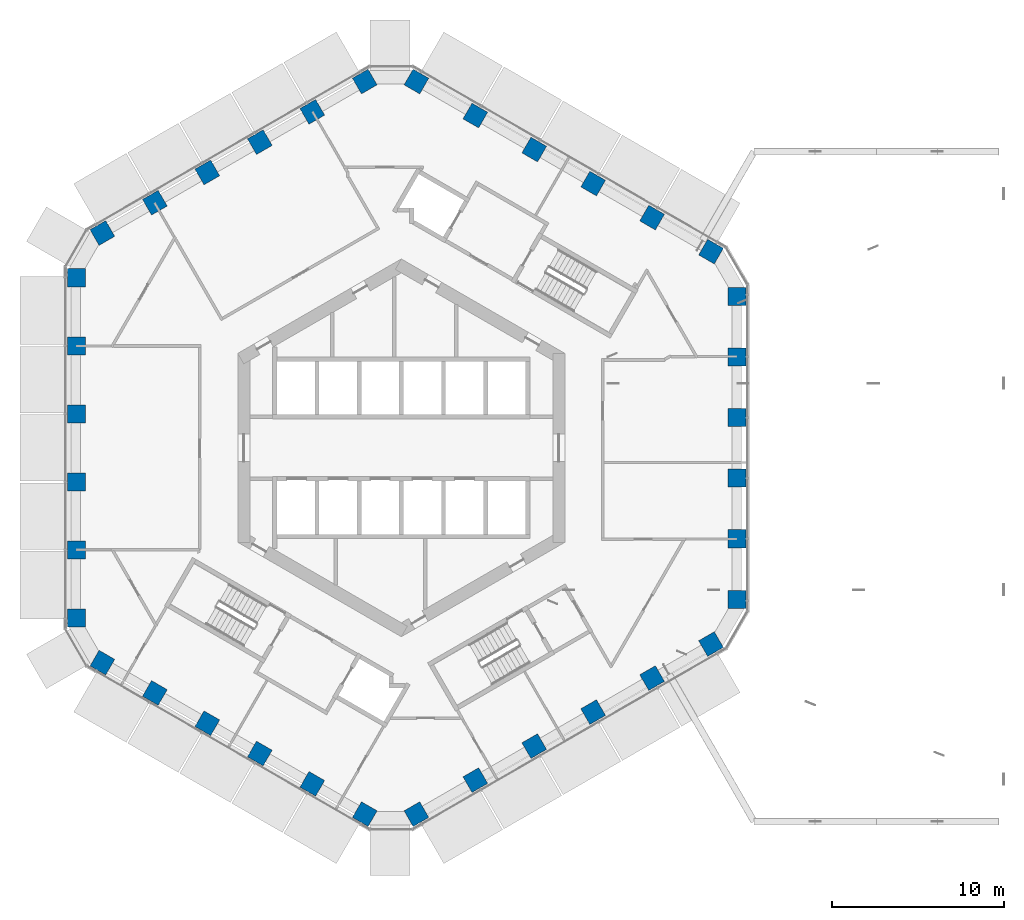
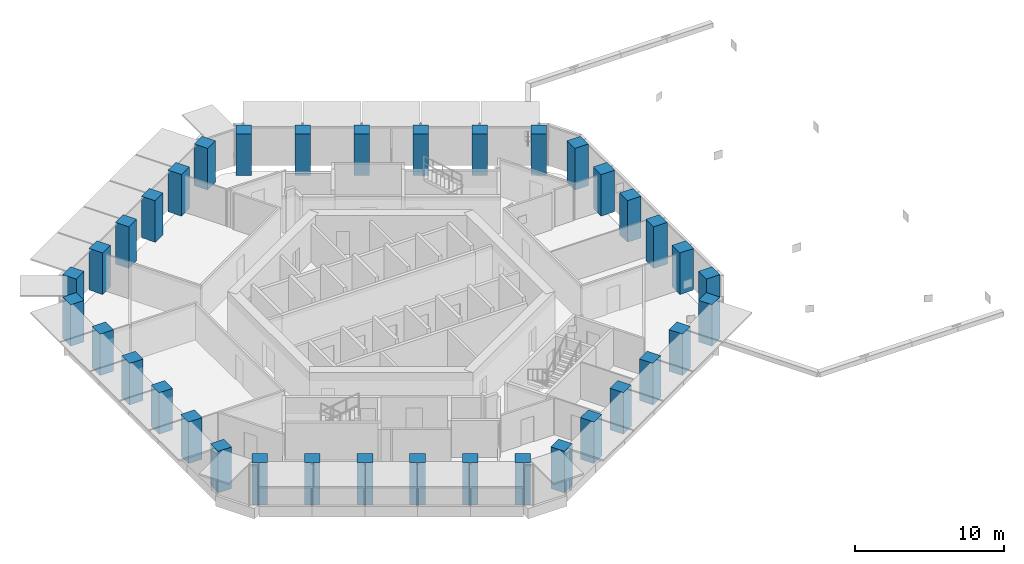
# One storey, part 1 of 21: 36 columns.
"""IFC4 building model written with IfcOpenShell, lengths in metres."""

from ifc_helpers import new_model, si_unit, direction, frame, origin, origin_2d, place, context, subcontext, project, spatial, rectangle, extrude, material, material_profile, profile_set, type_object, element, save


model = new_model("IFC4")

# Units and contexts
model_context = context("Model", 3, precision=1e-05, world=origin(), true_north=direction((0.0, 1.0)))
body_context = subcontext(model_context, "Body", "Model", "MODEL_VIEW")
ifc_project = project(units=[si_unit("LENGTHUNIT", "METRE"), si_unit("AREAUNIT", "SQUARE_METRE"), si_unit("VOLUMEUNIT", "CUBIC_METRE"), si_unit("PLANEANGLEUNIT", "RADIAN"), si_unit("MASSUNIT", "GRAM", prefix="KILO")], contexts=[model_context])

# Site, building, storey
site_placement = place(None, origin())
site = spatial("IfcSite", under=ifc_project, at=site_placement, CompositionType="ELEMENT")
building_placement = place(site_placement, origin())
building = spatial("IfcBuilding", under=site, at=building_placement, Name="Ayvan Gate Tower", CompositionType="ELEMENT")
storey_placement = place(building_placement, frame((0.0, 0.0, 117.10009765625)))
storey = spatial("IfcBuildingStorey", under=building, at=storey_placement, Name="L31", CompositionType="ELEMENT", Elevation=117.10009765625)

# Columns
ifc_material = material(Name="Concrete C60/75", Category="concrete")
ifc_material_profile = material_profile(ifc_material, rectangle(XDim=1.050048828125, YDim=1.050048828125, at=origin_2d()), Name="RC 1050x1050")
ifc_profile_set = profile_set([ifc_material_profile], Name="Concrete C60/75")
column_type = type_object("IfcColumnType", Name="Tube column RC 1050x1050 C60/75", PredefinedType="COLUMN", material=ifc_profile_set)
for number, where, z_axis, x_axis, name in (
    (1, (19.485595703125, -8.79833984375, 0.0), (0.0, 0.0, 1.0), (1.0, 0.0, 0.0), "C-T0-0-L31"),
    (2, (19.485595703125, -5.279052734375, 0.0), (0.0, 0.0, 1.0), (1.0, 0.0, 0.0), "C-T0-1-L31"),
    (3, (19.485595703125, -1.759765625, 0.0), (0.0, 0.0, 1.0), (1.0, 0.0, 0.0), "C-T0-2-L31"),
    (4, (19.485595703125, 1.759765625, 0.0), (0.0, 0.0, 1.0), (1.0, 0.0, 0.0), "C-T0-3-L31"),
    (5, (19.485595703125, 5.279052734375, 0.0), (0.0, 0.0, 1.0), (1.0, 0.0, 0.0), "C-T0-4-L31"),
    (6, (19.485595703125, 8.79833984375, 0.0), (0.0, 0.0, 1.0), (1.0, 0.0, 0.0), "C-T0-5-L31"),
    (7, (17.985595703125, 11.396484375, 0.0), (0.0, 0.0, 1.0), (0.5, 0.866025403784, 0.0), "C-T1-0-L31"),
    (8, (14.563720703125, 13.3720703125, 0.0), (0.0, 0.0, 1.0), (0.5, 0.866025403784, 0.0), "C-T1-1-L31"),
    (9, (11.14208984375, 15.34765625, 0.0), (0.0, 0.0, 1.0), (0.5, 0.866025403784, 0.0), "C-T1-2-L31"),
    (10, (7.720458984375, 17.322998046875, 0.0), (0.0, 0.0, 1.0), (0.5, 0.866025403784, 0.0), "C-T1-3-L31"),
    (11, (4.298583984375, 19.298583984375, 0.0), (0.0, 0.0, 1.0), (0.5, 0.866025403784, 0.0), "C-T1-4-L31"),
    (12, (0.876953125, 21.274169921875, 0.0), (0.0, 0.0, 1.0), (0.5, 0.866025403784, 0.0), "C-T1-5-L31"),
    (13, (-2.123046875, 21.274169921875, 0.0), (0.0, 0.0, 1.0), (-0.5, 0.866025403784, 0.0), "C-T2-0-L31"),
    (14, (-5.1708984375, 19.514404296875, 0.0), (0.0, 0.0, 1.0), (-0.5, 0.866025403784, 0.0), "C-T2-1-L31"),
    (15, (-8.21875, 17.7548828125, 0.0), (0.0, 0.0, 1.0), (-0.5, 0.866025403784, 0.0), "C-T2-2-L31"),
    (16, (-11.2666015625, 15.9951171875, 0.0), (0.0, 0.0, 1.0), (-0.5, 0.866025403784, 0.0), "C-T2-3-L31"),
    (17, (-14.314453125, 14.235595703125, 0.0), (0.0, 0.0, 1.0), (-0.5, 0.866025403784, 0.0), "C-T2-4-L31"),
    (18, (-17.3623046875, 12.475830078125, 0.0), (0.0, 0.0, 1.0), (-0.5, 0.866025403784, 0.0), "C-T2-5-L31"),
    (19, (-18.8623046875, 9.877685546875, 0.0), (0.0, 0.0, 1.0), (-1.0, 0.0, 0.0), "C-T3-0-L31"),
    (20, (-18.8623046875, 5.926513671875, 0.0), (0.0, 0.0, 1.0), (-1.0, 0.0, 0.0), "C-T3-1-L31"),
    (21, (-18.8623046875, 1.9755859375, 0.0), (0.0, 0.0, 1.0), (-1.0, 0.0, 0.0), "C-T3-2-L31"),
    (22, (-18.8623046875, -1.9755859375, 0.0), (0.0, 0.0, 1.0), (-1.0, 0.0, 0.0), "C-T3-3-L31"),
    (23, (-18.8623046875, -5.926513671875, 0.0), (0.0, 0.0, 1.0), (-1.0, 0.0, 0.0), "C-T3-4-L31"),
    (24, (-18.8623046875, -9.877685546875, 0.0), (0.0, 0.0, 1.0), (-1.0, 0.0, 0.0), "C-T3-5-L31"),
    (25, (-17.3623046875, -12.475830078125, 0.0), (0.0, 0.0, 1.0), (-0.5, -0.866025403784, 0.0), "C-T4-0-L31"),
    (26, (-14.314453125, -14.235595703125, 0.0), (0.0, 0.0, 1.0), (-0.5, -0.866025403784, 0.0), "C-T4-1-L31"),
    (27, (-11.2666015625, -15.9951171875, 0.0), (0.0, 0.0, 1.0), (-0.5, -0.866025403784, 0.0), "C-T4-2-L31"),
    (28, (-8.21875, -17.7548828125, 0.0), (0.0, 0.0, 1.0), (-0.5, -0.866025403784, 0.0), "C-T4-3-L31"),
    (29, (-5.1708984375, -19.514404296875, 0.0), (0.0, 0.0, 1.0), (-0.5, -0.866025403784, 0.0), "C-T4-4-L31"),
    (30, (-2.123046875, -21.274169921875, 0.0), (0.0, 0.0, 1.0), (-0.5, -0.866025403784, 0.0), "C-T4-5-L31"),
    (31, (0.876953125, -21.274169921875, 0.0), (0.0, 0.0, 1.0), (0.5, -0.866025403784, 0.0), "C-T5-0-L31"),
    (32, (4.298583984375, -19.298583984375, 0.0), (0.0, 0.0, 1.0), (0.5, -0.866025403784, 0.0), "C-T5-1-L31"),
    (33, (7.720458984375, -17.322998046875, 0.0), (0.0, 0.0, 1.0), (0.5, -0.866025403784, 0.0), "C-T5-2-L31"),
    (34, (11.14208984375, -15.34765625, 0.0), (0.0, 0.0, 1.0), (0.5, -0.866025403784, 0.0), "C-T5-3-L31"),
    (35, (14.563720703125, -13.3720703125, 0.0), (0.0, 0.0, 1.0), (0.5, -0.866025403784, 0.0), "C-T5-4-L31"),
    (36, (17.985595703125, -11.396484375, 0.0), (0.0, 0.0, 1.0), (0.5, -0.866025403784, 0.0), "C-T5-5-L31"),
):
    element("IfcColumn", number, at=place(storey_placement, frame(where, z_axis=z_axis, x_axis=x_axis)), inside=storey, type_object=column_type, Name=name, PredefinedType="COLUMN", context=body_context, shape_type="SweptSolid", body=[
        extrude(rectangle(XDim=1.050048828125, YDim=1.050048828125, at=origin_2d()), origin(), (0.0, 0.0, 1.0), 3.39990234375),
    ])

save(model, "model.ifc")
